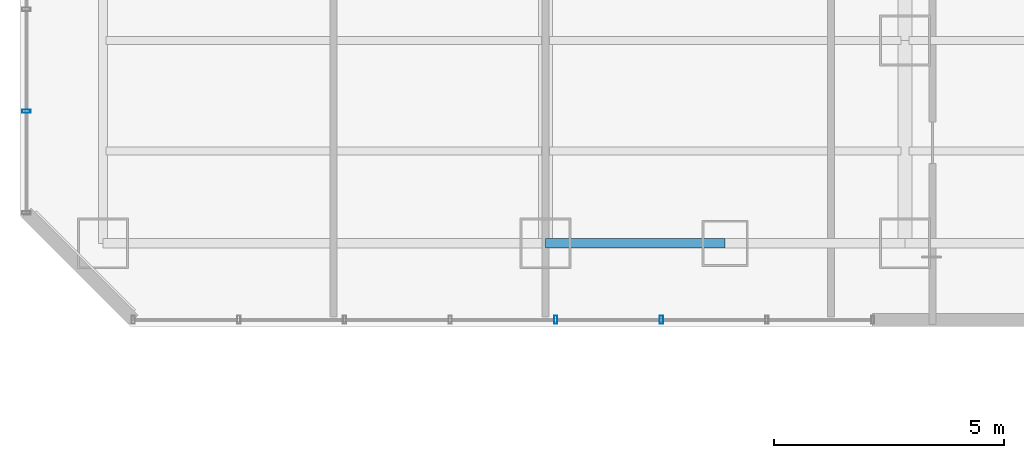
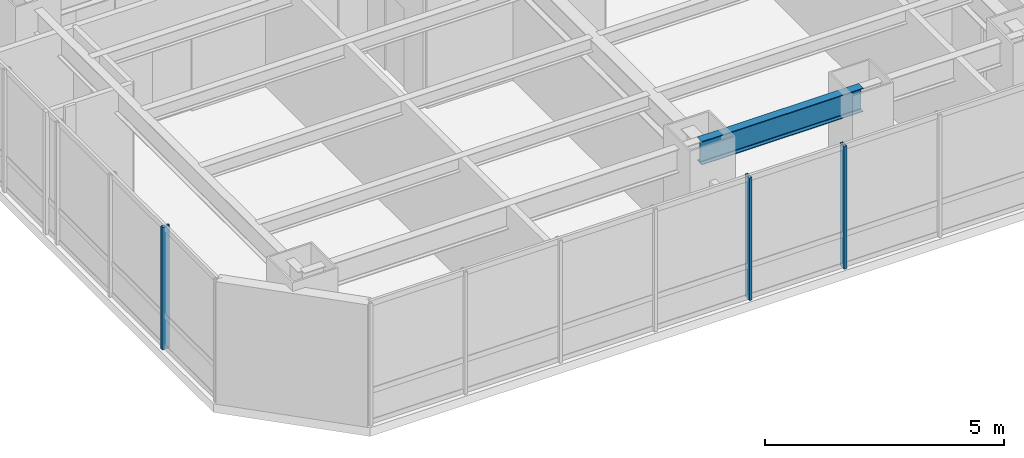
# One storey, part 4 of 37: 3 members, 1 beam, 2 elements without a shape of their own.
"""IFC4 building model written with IfcOpenShell, lengths in metres."""

from ifc_helpers import new_model, si_unit, direction, frame, origin, origin_2d, place, context, subcontext, project, spatial, hollow_rectangle, i_section, extrude, material, layer, layer_set, material_profile, profile_set, type_object, element, aggregate, save


model = new_model("IFC4")

# Units and contexts
model_context = context("Model", 3, precision=1e-05, world=origin(), true_north=direction((0.0, 1.0)))
body_context = subcontext(model_context, "Body", "Model", "MODEL_VIEW")
ifc_project = project(units=[si_unit("LENGTHUNIT", "METRE"), si_unit("AREAUNIT", "SQUARE_METRE"), si_unit("VOLUMEUNIT", "CUBIC_METRE"), si_unit("PLANEANGLEUNIT", "RADIAN"), si_unit("MASSUNIT", "GRAM", prefix="KILO")], contexts=[model_context])

# Site, building, storey
site_placement = place(None, origin())
site = spatial("IfcSite", under=ifc_project, at=site_placement, CompositionType="ELEMENT")
building_placement = place(site_placement, origin())
building = spatial("IfcBuilding", under=site, at=building_placement, Name="Hatsunagi Terrace Concourse", CompositionType="ELEMENT")
storey_placement = place(building_placement, frame((0.0, 0.0, 50.0)))
storey = spatial("IfcBuildingStorey", under=building, at=storey_placement, Name="L12", CompositionType="ELEMENT", Elevation=50.0)

# Curtain wall, members
ifc_material_1 = material(Name="Anodised Aluminium Alloy 6063-T5", Category="aluminium")
ifc_layer = layer(ifc_material_1, 0.199951171875)
ifc_layer_set = layer_set([ifc_layer], Name="HotelFacade_CW02")
curtain_wall_type = type_object("IfcCurtainWallType", Name="HotelFacade_CW02", PredefinedType="NOTDEFINED", material=ifc_layer_set)
curtain_wall_1_placement = place(storey_placement, origin())
curtain_wall_1 = element("IfcCurtainWall", 1, at=curtain_wall_1_placement, inside=storey, type_object=curtain_wall_type, Name="Unitised Curtain Wall CW-02 CW-L12-07", PredefinedType="NOTDEFINED")
ifc_material_2 = material(Name="Anodised Aluminium Alloy 6063-T5", Category="aluminium")
ifc_material_profile_1 = material_profile(ifc_material_2, hollow_rectangle(XDim=0.070068359375, YDim=0.179931640625, WallThickness=0.00390625, at=origin_2d()), Name="ALU-MUL-180x70x4")
ifc_profile_set_1 = profile_set([ifc_material_profile_1], Name="Anodised Aluminium Alloy 6063-T5")
member_type = type_object("IfcMemberType", Name="CurtainWallMullion_180x70", PredefinedType="MULLION", material=ifc_profile_set_1)
member_1_placement = place(storey_placement, frame((13.9169921875, 23.5400390625, 0.0), z_axis=(0.0, 0.0, 1.0), x_axis=(-1.0, 0.0, 0.0)))
member_1 = element("IfcMember", 2, at=member_1_placement, type_object=member_type, Name="Curtain Wall Mullion MUL-02", PredefinedType="MULLION", context=body_context, shape_type="SweptSolid", body=[
    extrude(hollow_rectangle(XDim=0.070068359375, YDim=0.179931640625, WallThickness=0.00390625, at=origin_2d()), origin(), (0.0, 0.0, 1.0), 3.1298828125),
])
member_2_placement = place(storey_placement, frame((11.625, 23.5400390625, 0.0), z_axis=(0.0, 0.0, 1.0), x_axis=(-1.0, 0.0, 0.0)))
member_2 = element("IfcMember", 3, at=member_2_placement, type_object=member_type, Name="Curtain Wall Mullion MUL-02", PredefinedType="MULLION", context=body_context, shape_type="SweptSolid", body=[
    extrude(hollow_rectangle(XDim=0.070068359375, YDim=0.179931640625, WallThickness=0.00390625, at=origin_2d()), origin(), (0.0, 0.0, 1.0), 3.1298828125),
])
aggregate(curtain_wall_1, [member_1, member_2])

# Curtain wall, member
curtain_wall_2_placement = place(storey_placement, origin())
curtain_wall_2 = element("IfcCurtainWall", 4, at=curtain_wall_2_placement, inside=storey, type_object=curtain_wall_type, Name="Unitised Curtain Wall CW-02 CW-L12-09", PredefinedType="NOTDEFINED")
member_3_placement = place(storey_placement, frame((0.139892578125, 28.06591796875, 0.0), z_axis=(0.0, 0.0, 1.0), x_axis=(0.0, 1.0, 0.0)))
member_3 = element("IfcMember", 5, at=member_3_placement, type_object=member_type, Name="Curtain Wall Mullion MUL-02", PredefinedType="MULLION", context=body_context, shape_type="SweptSolid", body=[
    extrude(hollow_rectangle(XDim=0.070068359375, YDim=0.179931640625, WallThickness=0.00390625, at=origin_2d()), origin(), (0.0, 0.0, 1.0), 3.1298828125),
])
aggregate(curtain_wall_2, [member_3])

# Beam
ifc_material_3 = material(Name="Steel SN490B", Category="steel")
ifc_material_profile_2 = material_profile(ifc_material_3, i_section(OverallWidth=0.199951171875, OverallDepth=0.60009765625, WebThickness=0.010986328125, FlangeThickness=0.01708984375, FilletRadius=0.01806640625, at=origin_2d()), Name="H-600x200x11x17")
ifc_profile_set_2 = profile_set([ifc_material_profile_2], Name="Steel SN490B")
beam_type = type_object("IfcBeamType", Name="PerimeterSpandrel_H_600x200", PredefinedType="SPANDREL", material=ifc_profile_set_2)
beam_placement = place(storey_placement, frame((11.39990234375, 25.199951171875, 2.830078125), z_axis=(1.0, 0.0, 0.0), x_axis=(0.0, 1.0, 0.0)))
element("IfcBeam", 6, at=beam_placement, inside=storey, type_object=beam_type, Name="Beam SP-01 BM-L12-WS-11", PredefinedType="SPANDREL", context=body_context, shape_type="SweptSolid", body=[
    extrude(i_section(OverallWidth=0.199951171875, OverallDepth=0.60009765625, WebThickness=0.010986328125, FlangeThickness=0.01708984375, FilletRadius=0.01806640625, at=origin_2d()), origin(), (0.0, 0.0, 1.0), 3.900146484375),
])

save(model, "model.ifc")
